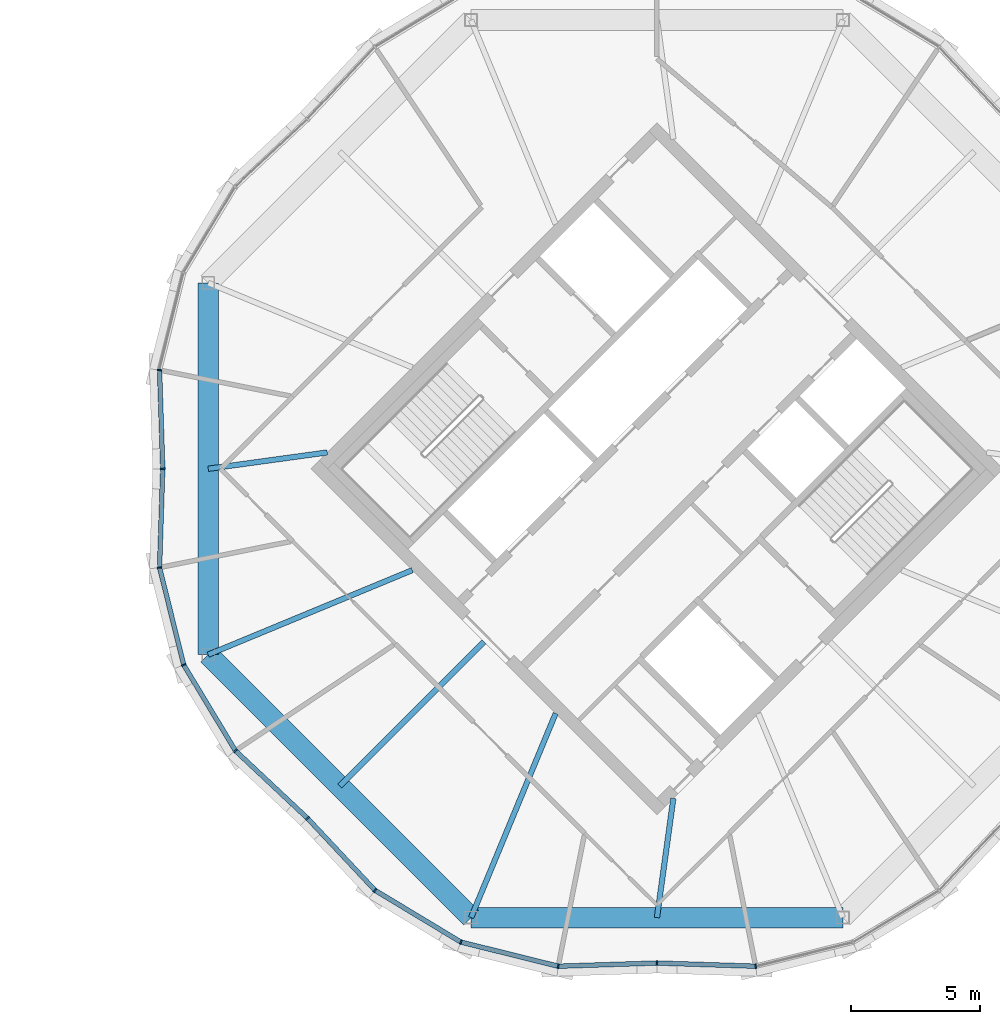
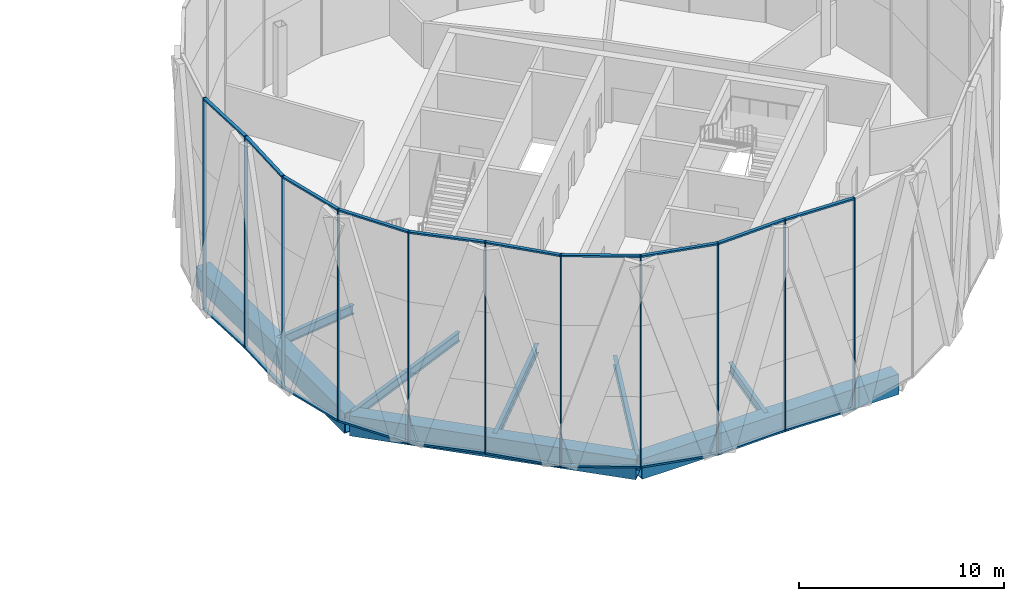
# One storey, part 8 of 23: 31 members, 8 beams, 4 elements without a shape of their own.
"""IFC4 building model written with IfcOpenShell, lengths in metres."""

import ifcopenshell
import ifcopenshell.guid

model = None  # the IFC model being written
_history = None  # IfcOwnerHistory: only IFC2X3 demands one
_inside = {}  # id of a spatial element -> (the spatial element, [elements in it])
_under = {}  # id of a project, library or spatial element -> (it, [spatial elements below it])
_declared = {}  # id of a project -> (the project, [libraries it declares])
_typed = {}  # id of a type object -> (the type object, [elements of that type])
_made_of = {}  # id of a material, layer set ... -> (it, [elements and type objects made of it])


def new_model(schema):
    """Start an empty IFC model of exactly this schema.

    Asked for "IFC4X3", IfcOpenShell would pick the latest addendum, in which some entities
    have other attributes; the version numbers below select the first issue.
    IFC2X3 requires an IfcOwnerHistory on every rooted entity: one is made here for all.
    """
    global model, _history
    if schema == "IFC4X3":
        model = ifcopenshell.file(schema_version=(4, 3, 0, 0))
    else:
        model = ifcopenshell.file(schema=schema)
    _inside.clear()
    _under.clear()
    _declared.clear()
    _typed.clear()
    _made_of.clear()
    _history = None
    if model.schema == "IFC2X3":
        org = make("IfcOrganization", Name="unknown")
        user = make(
            "IfcPersonAndOrganization",
            ThePerson=make("IfcPerson", FamilyName="unknown"),
            TheOrganization=org,
        )
        app = make(
            "IfcApplication",
            ApplicationDeveloper=org,
            Version="unknown",
            ApplicationFullName="unknown",
            ApplicationIdentifier="unknown",
        )
        _history = make(
            "IfcOwnerHistory",
            OwningUser=user,
            OwningApplication=app,
            ChangeAction="ADDED",
            CreationDate=0,
        )
    return model


def make(cls, **values):
    """One entity of the class cls with the attributes given. An attribute that is None is left unset."""
    return model.create_entity(
        cls, **{name: value for name, value in values.items() if value is not None}
    )


def rooted(cls, **values):
    """An entity with a GlobalId (a new one), such as an element, a storey or a relation."""
    return make(cls, GlobalId=ifcopenshell.guid.new(), OwnerHistory=_history, **values)


def si_unit(unit_type, name, prefix=None):
    """IfcSIUnit, for example si_unit("LENGTHUNIT", "METRE", prefix="MILLI")."""
    return make("IfcSIUnit", UnitType=unit_type, Prefix=prefix, Name=name)


def assignment(units):
    """IfcUnitAssignment: the units of a project."""
    return None if units is None else make("IfcUnitAssignment", Units=units)


def point(xyz):
    """IfcCartesianPoint."""
    return None if xyz is None else make("IfcCartesianPoint", Coordinates=xyz)


def direction(xyz):
    """IfcDirection."""
    return None if xyz is None else make("IfcDirection", DirectionRatios=xyz)


def frame(location, z_axis=None, x_axis=None):
    """IfcAxis2Placement3D, a coordinate frame: its origin and axes. An axis left out is left unset."""
    return make(
        "IfcAxis2Placement3D",
        Location=point(location),
        Axis=direction(z_axis),
        RefDirection=direction(x_axis),
    )


def frame_2d(location, x_axis=None):
    """IfcAxis2Placement2D, a coordinate frame in the plane: its origin and x axis."""
    return make(
        "IfcAxis2Placement2D", Location=point(location), RefDirection=direction(x_axis)
    )


def origin():
    """The frame at (0, 0, 0) with its axes left unset."""
    return frame((0.0, 0.0, 0.0))


def origin_2d():
    """The frame at (0, 0) in the plane with its x axis left unset."""
    return frame_2d((0.0, 0.0))


def place(relative_to, where):
    """IfcLocalPlacement: puts the frame where relative to a parent placement (None: the world)."""
    return make(
        "IfcLocalPlacement", PlacementRelTo=relative_to, RelativePlacement=where
    )


def context(
    kind, dimensions, precision=None, world=None, true_north=None, identifier=None
):
    """IfcGeometricRepresentationContext, for example the 3D "Model" context."""
    return make(
        "IfcGeometricRepresentationContext",
        ContextIdentifier=identifier,
        ContextType=kind,
        CoordinateSpaceDimension=dimensions,
        Precision=precision,
        WorldCoordinateSystem=world,
        TrueNorth=true_north,
    )


def subcontext(parent, identifier, kind, view, scale=None):
    """IfcGeometricRepresentationSubContext, for example "Body" below "Model"."""
    return make(
        "IfcGeometricRepresentationSubContext",
        ContextIdentifier=identifier,
        ContextType=kind,
        ParentContext=parent,
        TargetScale=scale,
        TargetView=view,
    )


def project(units=None, contexts=None):
    """IfcProject with its units and contexts."""
    return rooted(
        "IfcProject",
        Name="project",
        RepresentationContexts=contexts,
        UnitsInContext=assignment(units),
    )


def spatial(cls, under=None, at=None, **own):
    """A site, building, storey or space (cls), placed at a placement, below another one or the project."""
    s = rooted(cls, ObjectPlacement=at, **own)
    if under is not None:
        _under.setdefault(under.id(), (under, []))[1].append(s)
    return s


def profile(cls, at=None, kind="AREA", **sizes):
    """A parametric profile (cls). Its sizes go by their IFC names, for example OverallWidth=200.0."""
    return make(cls, ProfileType=kind, Position=at, **sizes)


def rectangle(**sizes):
    """IfcRectangleProfileDef."""
    return profile("IfcRectangleProfileDef", **sizes)


def hollow_rectangle(**sizes):
    """IfcRectangleHollowProfileDef."""
    return profile("IfcRectangleHollowProfileDef", **sizes)


def i_section(**sizes):
    """IfcIShapeProfileDef."""
    return profile("IfcIShapeProfileDef", **sizes)


def extrude(swept, where, along, depth):
    """IfcExtrudedAreaSolid: the profile swept, set in the frame where, extruded along a direction by depth."""
    return make(
        "IfcExtrudedAreaSolid",
        SweptArea=swept,
        Position=where,
        ExtrudedDirection=direction(along),
        Depth=depth,
    )


def shape(context_of_items, identifier, shape_type, items):
    """IfcShapeRepresentation: the items that make up one representation, for example the "Body"."""
    return make(
        "IfcShapeRepresentation",
        ContextOfItems=context_of_items,
        RepresentationIdentifier=identifier,
        RepresentationType=shape_type,
        Items=items,
    )


def material(Name=None, Category=None):
    """IfcMaterial."""
    return make("IfcMaterial", Name=Name, Category=Category)


def material_profile(
    of_material, cross_section, Name=None, Category=None, Priority=None
):
    """IfcMaterialProfile: a cross section and its material."""
    return make(
        "IfcMaterialProfile",
        Name=Name,
        Material=of_material,
        Profile=cross_section,
        Priority=Priority,
        Category=Category,
    )


def profile_set(profiles, Name=None, composite=None):
    """IfcMaterialProfileSet."""
    return make(
        "IfcMaterialProfileSet",
        Name=Name,
        MaterialProfiles=profiles,
        CompositeProfile=composite,
    )


def made_of(thing, what):
    """Note that an element or type object is made of a material, layer set ...; save() writes the relation."""
    if what is not None:
        _made_of.setdefault(what.id(), (what, []))[1].append(thing)
    return thing


def type_object(cls, material=None, **own):
    """A type object (cls), such as IfcWallType, which elements share."""
    return made_of(rooted(cls, **own), material)


def element(
    cls,
    number,
    at=None,
    inside=None,
    cuts=None,
    type_object=None,
    material=None,
    context=None,
    identifier="Body",
    shape_type=None,
    held_by="IfcProductDefinitionShape",
    body=None,
    shapes=None,
    **own,
):
    """One element of the class cls, such as IfcWall. Its Tag is "e" and its number.

    at: its placement. inside: the storey or other place that contains it. cuts: it is an
    opening in that element (IfcRelVoidsElement). A single representation is given by context,
    identifier, shape_type and body (its items); several are given by shapes. held_by: the class
    of the entity that holds the representations. save() writes the other relations.
    """
    e = rooted(cls, Tag="e%d" % number, ObjectPlacement=at, **own)
    if body is not None:
        shapes = [shape(context, identifier, shape_type, body)]
    if shapes is not None:
        e.Representation = make(held_by, Representations=shapes)
    if inside is not None:
        _inside.setdefault(inside.id(), (inside, []))[1].append(e)
    if cuts is not None:
        rooted(
            "IfcRelVoidsElement", RelatingBuildingElement=cuts, RelatedOpeningElement=e
        )
    if type_object is not None:
        _typed.setdefault(type_object.id(), (type_object, []))[1].append(e)
    return made_of(e, material)


def aggregate(whole, parts):
    """IfcRelAggregates: a whole, such as a stair, and the parts it consists of."""
    return rooted("IfcRelAggregates", RelatingObject=whole, RelatedObjects=parts)


def save(model, path):
    """Write the relations noted so far, then the file.

    IfcRelAggregates (storeys below a building ...), IfcRelContainedInSpatialStructure (elements
    in a storey), IfcRelDefinesByType, IfcRelAssociatesMaterial and IfcRelDeclares: one each for
    every whole, place, type object, material and project.
    """
    for whole, parts in _under.values():
        aggregate(whole, parts)
    for where, things in _inside.values():
        rooted(
            "IfcRelContainedInSpatialStructure",
            RelatedElements=things,
            RelatingStructure=where,
        )
    for kind, things in _typed.values():
        rooted("IfcRelDefinesByType", RelatedObjects=things, RelatingType=kind)
    for what, things in _made_of.values():
        rooted("IfcRelAssociatesMaterial", RelatedObjects=things, RelatingMaterial=what)
    for by, libraries in _declared.values():
        rooted("IfcRelDeclares", RelatingContext=by, RelatedDefinitions=libraries)
    model.write(path)


model = new_model("IFC4")

# Units and contexts
model_context = context("Model", 3, precision=1e-05, world=origin(), true_north=direction((0.0, 1.0)))
body_context = subcontext(model_context, "Body", "Model", "MODEL_VIEW")
ifc_project = project(units=[si_unit("LENGTHUNIT", "METRE"), si_unit("AREAUNIT", "SQUARE_METRE"), si_unit("VOLUMEUNIT", "CUBIC_METRE"), si_unit("PLANEANGLEUNIT", "RADIAN"), si_unit("MASSUNIT", "GRAM", prefix="KILO")], contexts=[model_context])

# Site, building, storey
site_placement = place(None, origin())
site = spatial("IfcSite", under=ifc_project, at=site_placement, CompositionType="ELEMENT")
building_placement = place(site_placement, origin())
building = spatial("IfcBuilding", under=site, at=building_placement, Name="Ogive Gate Towers", CompositionType="ELEMENT")
storey_placement = place(building_placement, frame((0.0, 0.0, 256.199951171875)))
storey = spatial("IfcBuildingStorey", under=building, at=storey_placement, Name="L60", CompositionType="ELEMENT", Elevation=256.199951171875)

# Beams
ifc_material_1 = material(Name="Steel SM460", Category="steel")
ifc_material_profile_1 = material_profile(ifc_material_1, hollow_rectangle(XDim=0.800048828125, YDim=1.199951171875, WallThickness=0.050048828125, at=origin_2d()), Name="BX 1200x800x50")
ifc_profile_set_1 = profile_set([ifc_material_profile_1], Name="Steel SM460")
beam_type_1 = type_object("IfcBeamType", Name="Edge girder BX 1200x800x50", PredefinedType="BEAM", material=ifc_profile_set_1)
beam_1_placement = place(storey_placement, frame((18.57568359375, -7.217529296875, -0.89990234375), z_axis=(0.707106781187, -0.707106781187, 0.0), x_axis=(0.707106781187, 0.707106781187, 0.0)))
element("IfcBeam", 1, at=beam_1_placement, inside=storey, type_object=beam_type_1, Name="T2/L60/SBM017", PredefinedType="BEAM", context=body_context, shape_type="SweptSolid", body=[
    extrude(hollow_rectangle(XDim=0.800048828125, YDim=1.199951171875, WallThickness=0.050048828125, at=origin_2d()), origin(), (0.0, 0.0, 1.0), 14.4345703125),
])
for number, where, z_axis, x_axis, name in (
    (2, (28.782470703125, -17.42431640625, -0.89990234375), (1.0, 0.0, 0.0), (0.0, 1.0, 0.0), "T2/L60/SBM018"),
    (3, (18.57568359375, 7.217529296875, -0.89990234375), (0.0, -1.0, 0.0), (1.0, 0.0, 0.0), "T2/L60/SBM024"),
):
    element("IfcBeam", number, at=place(storey_placement, frame(where, z_axis=z_axis, x_axis=x_axis)), inside=storey, type_object=beam_type_1, Name=name, PredefinedType="BEAM", context=body_context, shape_type="SweptSolid", body=[
        extrude(hollow_rectangle(XDim=0.800048828125, YDim=1.199951171875, WallThickness=0.050048828125, at=origin_2d()), origin(), (0.0, 0.0, 1.0), 14.43505859375),
    ])
ifc_material_2 = material(Name="Steel SM355", Category="steel")
ifc_material_profile_2 = material_profile(ifc_material_2, i_section(OverallWidth=0.2099609375, OverallDepth=0.550048828125, WebThickness=0.010986328125, FlangeThickness=0.01708984375, FilletRadius=0.02392578125, at=origin_2d()), Name="IPE 550")
ifc_profile_set_2 = profile_set([ifc_material_profile_2], Name="Steel SM355")
beam_type_2 = type_object("IfcBeamType", Name="Radial floor beam IPE 550", PredefinedType="BEAM", material=ifc_profile_set_2)
beam_2_placement = place(storey_placement, frame((26.5, -3.93505859375, -0.574951171875), z_axis=(-0.923874941579, -0.382694515667, 0.0), x_axis=(0.382694515667, -0.923874941579, 0.0)))
element("IfcBeam", 4, at=beam_2_placement, inside=storey, type_object=beam_type_2, Name="T2/L60/SBM001", PredefinedType="BEAM", context=body_context, shape_type="SweptSolid", body=[
    extrude(i_section(OverallWidth=0.2099609375, OverallDepth=0.550048828125, WebThickness=0.010986328125, FlangeThickness=0.01708984375, FilletRadius=0.02392578125, at=origin_2d()), origin(), (0.0, 0.0, 1.0), 8.5771484375),
])
beam_3_placement = place(storey_placement, frame((29.282470703125, -6.717529296875, -0.574951171875), z_axis=(-0.707106781187, -0.707106781187, 0.0), x_axis=(0.707106781187, -0.707106781187, 0.0)))
element("IfcBeam", 5, at=beam_3_placement, inside=storey, type_object=beam_type_2, Name="T2/L60/SBM002", PredefinedType="BEAM", context=body_context, shape_type="SweptSolid", body=[
    extrude(i_section(OverallWidth=0.2099609375, OverallDepth=0.550048828125, WebThickness=0.010986328125, FlangeThickness=0.01708984375, FilletRadius=0.02392578125, at=origin_2d()), origin(), (0.0, 0.0, 1.0), 7.92431640625),
])
beam_4_placement = place(storey_placement, frame((32.06494140625, -9.5, -0.574951171875), z_axis=(-0.382694515667, -0.923874941579, 0.0), x_axis=(0.923874941579, -0.382694515667, 0.0)))
element("IfcBeam", 6, at=beam_4_placement, inside=storey, type_object=beam_type_2, Name="T2/L60/SBM003", PredefinedType="BEAM", context=body_context, shape_type="SweptSolid", body=[
    extrude(i_section(OverallWidth=0.2099609375, OverallDepth=0.550048828125, WebThickness=0.010986328125, FlangeThickness=0.01708984375, FilletRadius=0.02392578125, at=origin_2d()), origin(), (0.0, 0.0, 1.0), 8.5771484375),
])
for number, where, z_axis, x_axis, name in (
    (7, (36.636474609375, -12.798583984375, -0.574951171875), (-0.136310067219, -0.990666223092, 0.0), (0.990666223092, -0.136310067219, 0.0), "T2/L60/SBM004"),
    (8, (23.201416015625, 0.636474609375, -0.574951171875), (-0.990666223092, -0.136310067219, 0.0), (0.136310067219, -0.990666223092, 0.0), "T2/L60/SBM016"),
):
    element("IfcBeam", number, at=place(storey_placement, frame(where, z_axis=z_axis, x_axis=x_axis)), inside=storey, type_object=beam_type_2, Name=name, PredefinedType="BEAM", context=body_context, shape_type="SweptSolid", body=[
        extrude(i_section(OverallWidth=0.2099609375, OverallDepth=0.550048828125, WebThickness=0.010986328125, FlangeThickness=0.01708984375, FilletRadius=0.02392578125, at=origin_2d()), origin(), (0.0, 0.0, 1.0), 4.66943359375),
    ])

# Curtain wall, members
ifc_material_3 = material(Name="Pale metal aluminium", Category="aluminium")
curtain_wall_type = type_object("IfcCurtainWallType", Name="Tower unitised wall, high zone", PredefinedType="NOTDEFINED", material=ifc_material_3)
curtain_wall_1_placement = place(storey_placement, origin())
curtain_wall_1 = element("IfcCurtainWall", 9, at=curtain_wall_1_placement, inside=storey, type_object=curtain_wall_type, Name="CW2 T2 ECW04", PredefinedType="NOTDEFINED")
ifc_material_profile_3 = material_profile(ifc_material_3, rectangle(XDim=0.179931640625, YDim=0.06005859375, at=origin_2d()), Name="60 x 180 aluminium box")
ifc_profile_set_3 = profile_set([ifc_material_profile_3], Name="Pale metal aluminium")
member_type_1 = type_object("IfcMemberType", Name="Tower unitised wall, high zone mullion 60 x 180", PredefinedType="MULLION", material=ifc_profile_set_3)
member_1_placement = place(storey_placement, frame((16.68603515625, 3.833251953125, -0.300048828125), z_axis=(0.0, 0.0, 1.0), x_axis=(-0.994450514713, 0.105205388581, 0.0)))
member_1 = element("IfcMember", 10, at=member_1_placement, type_object=member_type_1, Name="CW2 mullion", PredefinedType="MULLION", context=body_context, shape_type="SweptSolid", body=[
    extrude(rectangle(XDim=0.179931640625, YDim=0.06005859375, at=origin_2d()), origin(), (0.0, 0.0, 1.0), 12.60009765625),
])
member_2_placement = place(storey_placement, frame((16.809814453125, 0.000244140625, -0.300048828125), z_axis=(0.0, 0.0, 1.0), x_axis=(-0.999479895007, -0.032248092615, 0.0)))
member_2 = element("IfcMember", 11, at=member_2_placement, type_object=member_type_1, Name="CW2 mullion", PredefinedType="MULLION", context=body_context, shape_type="SweptSolid", body=[
    extrude(rectangle(XDim=0.179931640625, YDim=0.06005859375, at=origin_2d()), origin(), (0.0, 0.0, 1.0), 12.60009765625),
])

curtain_wall_2_placement = place(storey_placement, origin())
curtain_wall_2 = element("IfcCurtainWall", 12, at=curtain_wall_2_placement, inside=storey, type_object=curtain_wall_type, Name="CW2 T2 ECW05", PredefinedType="NOTDEFINED")
member_3_placement = place(storey_placement, frame((16.68603515625, -3.833251953125, -0.300048828125), z_axis=(0.0, 0.0, 1.0), x_axis=(-0.994450514713, -0.105205388581, 0.0)))
member_3 = element("IfcMember", 13, at=member_3_placement, type_object=member_type_1, Name="CW2 mullion", PredefinedType="MULLION", context=body_context, shape_type="SweptSolid", body=[
    extrude(rectangle(XDim=0.179931640625, YDim=0.06005859375, at=origin_2d()), origin(), (0.0, 0.0, 1.0), 12.60009765625),
])
member_4_placement = place(storey_placement, frame((17.623046875, -7.612060546875, -0.300048828125), z_axis=(0.0, 0.0, 1.0), x_axis=(-0.923879532511, -0.382683432365, 0.0)))
member_4 = element("IfcMember", 14, at=member_4_placement, type_object=member_type_1, Name="CW2 mullion", PredefinedType="MULLION", context=body_context, shape_type="SweptSolid", body=[
    extrude(rectangle(XDim=0.179931640625, YDim=0.06005859375, at=origin_2d()), origin(), (0.0, 0.0, 1.0), 12.60009765625),
])
member_5_placement = place(storey_placement, frame((19.632568359375, -10.9462890625, -0.300048828125), z_axis=(0.0, 0.0, 1.0), x_axis=(-0.777574146191, -0.628791258825, 0.0)))
member_5 = element("IfcMember", 15, at=member_5_placement, type_object=member_type_1, Name="CW2 mullion", PredefinedType="MULLION", context=body_context, shape_type="SweptSolid", body=[
    extrude(rectangle(XDim=0.179931640625, YDim=0.06005859375, at=origin_2d()), origin(), (0.0, 0.0, 1.0), 12.60009765625),
])
member_6_placement = place(storey_placement, frame((22.430419921875, -13.569091796875, -0.300048828125), z_axis=(0.0, 0.0, 1.0), x_axis=(-0.68393616645, -0.729541856388, 0.0)))
member_6 = element("IfcMember", 16, at=member_6_placement, type_object=member_type_1, Name="CW2 mullion", PredefinedType="MULLION", context=body_context, shape_type="SweptSolid", body=[
    extrude(rectangle(XDim=0.179931640625, YDim=0.06005859375, at=origin_2d()), origin(), (0.0, 0.0, 1.0), 12.60009765625),
])

curtain_wall_3_placement = place(storey_placement, origin())
curtain_wall_3 = element("IfcCurtainWall", 17, at=curtain_wall_3_placement, inside=storey, type_object=curtain_wall_type, Name="CW2 T2 ECW06", PredefinedType="NOTDEFINED")
member_7_placement = place(storey_placement, frame((25.0537109375, -16.367431640625, -0.300048828125), z_axis=(0.0, 0.0, 1.0), x_axis=(-0.628791258825, -0.777574146191, 0.0)))
member_7 = element("IfcMember", 18, at=member_7_placement, type_object=member_type_1, Name="CW2 mullion", PredefinedType="MULLION", context=body_context, shape_type="SweptSolid", body=[
    extrude(rectangle(XDim=0.179931640625, YDim=0.06005859375, at=origin_2d()), origin(), (0.0, 0.0, 1.0), 12.60009765625),
])
member_8_placement = place(storey_placement, frame((28.387939453125, -18.376953125, -0.300048828125), z_axis=(0.0, 0.0, 1.0), x_axis=(-0.382683432365, -0.923879532511, 0.0)))
member_8 = element("IfcMember", 19, at=member_8_placement, type_object=member_type_1, Name="CW2 mullion", PredefinedType="MULLION", context=body_context, shape_type="SweptSolid", body=[
    extrude(rectangle(XDim=0.179931640625, YDim=0.06005859375, at=origin_2d()), origin(), (0.0, 0.0, 1.0), 12.60009765625),
])
member_9_placement = place(storey_placement, frame((32.166748046875, -19.31396484375, -0.300048828125), z_axis=(0.0, 0.0, 1.0), x_axis=(-0.105205388581, -0.994450514713, 0.0)))
member_9 = element("IfcMember", 20, at=member_9_placement, type_object=member_type_1, Name="CW2 mullion", PredefinedType="MULLION", context=body_context, shape_type="SweptSolid", body=[
    extrude(rectangle(XDim=0.179931640625, YDim=0.06005859375, at=origin_2d()), origin(), (0.0, 0.0, 1.0), 12.60009765625),
])
member_10_placement = place(storey_placement, frame((35.999755859375, -19.190185546875, -0.300048828125), z_axis=(0.0, 0.0, 1.0), x_axis=(0.032248092615, -0.999479895007, 0.0)))
member_10 = element("IfcMember", 21, at=member_10_placement, type_object=member_type_1, Name="CW2 mullion", PredefinedType="MULLION", context=body_context, shape_type="SweptSolid", body=[
    extrude(rectangle(XDim=0.179931640625, YDim=0.06005859375, at=origin_2d()), origin(), (0.0, 0.0, 1.0), 12.60009765625),
])

# Curtain wall, member
curtain_wall_4_placement = place(storey_placement, origin())
curtain_wall_4 = element("IfcCurtainWall", 22, at=curtain_wall_4_placement, inside=storey, type_object=curtain_wall_type, Name="CW2 T2 ECW07", PredefinedType="NOTDEFINED")
member_11_placement = place(storey_placement, frame((39.833251953125, -19.31396484375, -0.300048828125), z_axis=(0.0, 0.0, 1.0), x_axis=(0.105205388581, -0.994450514713, 0.0)))
member_11 = element("IfcMember", 23, at=member_11_placement, type_object=member_type_1, Name="CW2 mullion", PredefinedType="MULLION", context=body_context, shape_type="SweptSolid", body=[
    extrude(rectangle(XDim=0.179931640625, YDim=0.06005859375, at=origin_2d()), origin(), (0.0, 0.0, 1.0), 12.60009765625),
])

# Member
ifc_material_profile_4 = material_profile(ifc_material_3, rectangle(XDim=0.179931640625, YDim=0.10009765625, at=origin_2d()), Name="100 x 180 aluminium box")
ifc_profile_set_4 = profile_set([ifc_material_profile_4], Name="Pale metal aluminium")
member_type_2 = type_object("IfcMemberType", Name="Tower unitised wall, high zone transom 100 x 180", PredefinedType="USERDEFINED", material=ifc_profile_set_4)
member_12_placement = place(storey_placement, frame((16.687255859375, 3.8046875, 12.25), z_axis=(0.032195461365, -0.99948159176, 0.0), x_axis=(0.99948159176, 0.032195461365, 0.0)))
member_12 = element("IfcMember", 24, at=member_12_placement, type_object=member_type_2, Name="CW2 transom", ObjectType="TRANSOM", PredefinedType="USERDEFINED", context=body_context, shape_type="SweptSolid", body=[
    extrude(rectangle(XDim=0.179931640625, YDim=0.10009765625, at=origin_2d()), origin(), (0.0, 0.0, 1.0), 3.7763671875),
])

member_13_placement = place(storey_placement, frame((16.687255859375, 3.8046875, -0.25), z_axis=(0.032195461365, -0.99948159176, 0.0), x_axis=(0.99948159176, 0.032195461365, 0.0)))
member_13 = element("IfcMember", 25, at=member_13_placement, type_object=member_type_2, Name="CW2 transom", ObjectType="TRANSOM", PredefinedType="USERDEFINED", context=body_context, shape_type="SweptSolid", body=[
    extrude(rectangle(XDim=0.179931640625, YDim=0.10009765625, at=origin_2d()), origin(), (0.0, 0.0, 1.0), 3.7763671875),
])

aggregate(curtain_wall_1, [member_1, member_2, member_12, member_13])

member_14_placement = place(storey_placement, frame((16.808837890625, -0.0302734375, 12.25), z_axis=(-0.032195461365, -0.99948159176, 0.0), x_axis=(0.99948159176, -0.032195461365, 0.0)))
member_14 = element("IfcMember", 26, at=member_14_placement, type_object=member_type_2, Name="CW2 transom", ObjectType="TRANSOM", PredefinedType="USERDEFINED", context=body_context, shape_type="SweptSolid", body=[
    extrude(rectangle(XDim=0.179931640625, YDim=0.10009765625, at=origin_2d()), origin(), (0.0, 0.0, 1.0), 3.7763671875),
])

member_15_placement = place(storey_placement, frame((16.808837890625, -0.0302734375, -0.25), z_axis=(-0.032195461365, -0.99948159176, 0.0), x_axis=(0.99948159176, -0.032195461365, 0.0)))
member_15 = element("IfcMember", 27, at=member_15_placement, type_object=member_type_2, Name="CW2 transom", ObjectType="TRANSOM", PredefinedType="USERDEFINED", context=body_context, shape_type="SweptSolid", body=[
    extrude(rectangle(XDim=0.179931640625, YDim=0.10009765625, at=origin_2d()), origin(), (0.0, 0.0, 1.0), 3.7763671875),
])

member_16_placement = place(storey_placement, frame((16.693115234375, -3.861083984375, 12.25), z_axis=(0.240648228376, -0.97061239956, 0.0), x_axis=(0.97061239956, 0.240648228376, 0.0)))
member_16 = element("IfcMember", 28, at=member_16_placement, type_object=member_type_2, Name="CW2 transom", ObjectType="TRANSOM", PredefinedType="USERDEFINED", context=body_context, shape_type="SweptSolid", body=[
    extrude(rectangle(XDim=0.179931640625, YDim=0.10009765625, at=origin_2d()), origin(), (0.0, 0.0, 1.0), 3.8359375),
])

member_17_placement = place(storey_placement, frame((16.693115234375, -3.861083984375, -0.25), z_axis=(0.240648228376, -0.97061239956, 0.0), x_axis=(0.97061239956, 0.240648228376, 0.0)))
member_17 = element("IfcMember", 29, at=member_17_placement, type_object=member_type_2, Name="CW2 transom", ObjectType="TRANSOM", PredefinedType="USERDEFINED", context=body_context, shape_type="SweptSolid", body=[
    extrude(rectangle(XDim=0.179931640625, YDim=0.10009765625, at=origin_2d()), origin(), (0.0, 0.0, 1.0), 3.8359375),
])

member_18_placement = place(storey_placement, frame((17.6376953125, -7.63623046875, 12.25), z_axis=(0.516188713906, -0.856474875076, 0.0), x_axis=(0.856474875076, 0.516188713906, 0.0)))
member_18 = element("IfcMember", 30, at=member_18_placement, type_object=member_type_2, Name="CW2 transom", ObjectType="TRANSOM", PredefinedType="USERDEFINED", context=body_context, shape_type="SweptSolid", body=[
    extrude(rectangle(XDim=0.179931640625, YDim=0.10009765625, at=origin_2d()), origin(), (0.0, 0.0, 1.0), 3.836181640625),
])

member_19_placement = place(storey_placement, frame((17.6376953125, -7.63623046875, -0.25), z_axis=(0.516188713906, -0.856474875076, 0.0), x_axis=(0.856474875076, 0.516188713906, 0.0)))
member_19 = element("IfcMember", 31, at=member_19_placement, type_object=member_type_2, Name="CW2 transom", ObjectType="TRANSOM", PredefinedType="USERDEFINED", context=body_context, shape_type="SweptSolid", body=[
    extrude(rectangle(XDim=0.179931640625, YDim=0.10009765625, at=origin_2d()), origin(), (0.0, 0.0, 1.0), 3.836181640625),
])

member_20_placement = place(storey_placement, frame((19.6533203125, -10.9658203125, 12.25), z_axis=(0.729559380509, -0.683917473319, 0.0), x_axis=(0.683917473319, 0.729559380509, 0.0)))
member_20 = element("IfcMember", 32, at=member_20_placement, type_object=member_type_2, Name="CW2 transom", ObjectType="TRANSOM", PredefinedType="USERDEFINED", context=body_context, shape_type="SweptSolid", body=[
    extrude(rectangle(XDim=0.179931640625, YDim=0.10009765625, at=origin_2d()), origin(), (0.0, 0.0, 1.0), 3.7763671875),
])

member_21_placement = place(storey_placement, frame((19.6533203125, -10.9658203125, -0.25), z_axis=(0.729559380509, -0.683917473319, 0.0), x_axis=(0.683917473319, 0.729559380509, 0.0)))
member_21 = element("IfcMember", 33, at=member_21_placement, type_object=member_type_2, Name="CW2 transom", ObjectType="TRANSOM", PredefinedType="USERDEFINED", context=body_context, shape_type="SweptSolid", body=[
    extrude(rectangle(XDim=0.179931640625, YDim=0.10009765625, at=origin_2d()), origin(), (0.0, 0.0, 1.0), 3.7763671875),
])

aggregate(curtain_wall_2, [member_3, member_14, member_15, member_4, member_16, member_17, member_5, member_18, member_19, member_6, member_20, member_21])

member_22_placement = place(storey_placement, frame((22.451416015625, -13.591552734375, 12.25), z_axis=(0.683917473319, -0.729559380509, 0.0), x_axis=(0.729559380509, 0.683917473319, 0.0)))
member_22 = element("IfcMember", 34, at=member_22_placement, type_object=member_type_2, Name="CW2 transom", ObjectType="TRANSOM", PredefinedType="USERDEFINED", context=body_context, shape_type="SweptSolid", body=[
    extrude(rectangle(XDim=0.179931640625, YDim=0.10009765625, at=origin_2d()), origin(), (0.0, 0.0, 1.0), 3.7763671875),
])

member_23_placement = place(storey_placement, frame((22.451416015625, -13.591552734375, -0.25), z_axis=(0.683917473319, -0.729559380509, 0.0), x_axis=(0.729559380509, 0.683917473319, 0.0)))
member_23 = element("IfcMember", 35, at=member_23_placement, type_object=member_type_2, Name="CW2 transom", ObjectType="TRANSOM", PredefinedType="USERDEFINED", context=body_context, shape_type="SweptSolid", body=[
    extrude(rectangle(XDim=0.179931640625, YDim=0.10009765625, at=origin_2d()), origin(), (0.0, 0.0, 1.0), 3.7763671875),
])

member_24_placement = place(storey_placement, frame((25.078125, -16.382080078125, 12.25), z_axis=(0.856474875076, -0.516188713906, 0.0), x_axis=(0.516188713906, 0.856474875076, 0.0)))
member_24 = element("IfcMember", 36, at=member_24_placement, type_object=member_type_2, Name="CW2 transom", ObjectType="TRANSOM", PredefinedType="USERDEFINED", context=body_context, shape_type="SweptSolid", body=[
    extrude(rectangle(XDim=0.179931640625, YDim=0.10009765625, at=origin_2d()), origin(), (0.0, 0.0, 1.0), 3.836181640625),
])

member_25_placement = place(storey_placement, frame((25.078125, -16.382080078125, -0.25), z_axis=(0.856474875076, -0.516188713906, 0.0), x_axis=(0.516188713906, 0.856474875076, 0.0)))
member_25 = element("IfcMember", 37, at=member_25_placement, type_object=member_type_2, Name="CW2 transom", ObjectType="TRANSOM", PredefinedType="USERDEFINED", context=body_context, shape_type="SweptSolid", body=[
    extrude(rectangle(XDim=0.179931640625, YDim=0.10009765625, at=origin_2d()), origin(), (0.0, 0.0, 1.0), 3.836181640625),
])

member_26_placement = place(storey_placement, frame((28.415771484375, -18.3837890625, 12.25), z_axis=(0.97061239956, -0.240648228376, 0.0), x_axis=(0.240648228376, 0.97061239956, 0.0)))
member_26 = element("IfcMember", 38, at=member_26_placement, type_object=member_type_2, Name="CW2 transom", ObjectType="TRANSOM", PredefinedType="USERDEFINED", context=body_context, shape_type="SweptSolid", body=[
    extrude(rectangle(XDim=0.179931640625, YDim=0.10009765625, at=origin_2d()), origin(), (0.0, 0.0, 1.0), 3.8359375),
])

member_27_placement = place(storey_placement, frame((28.415771484375, -18.3837890625, -0.25), z_axis=(0.97061239956, -0.240648228376, 0.0), x_axis=(0.240648228376, 0.97061239956, 0.0)))
member_27 = element("IfcMember", 39, at=member_27_placement, type_object=member_type_2, Name="CW2 transom", ObjectType="TRANSOM", PredefinedType="USERDEFINED", context=body_context, shape_type="SweptSolid", body=[
    extrude(rectangle(XDim=0.179931640625, YDim=0.10009765625, at=origin_2d()), origin(), (0.0, 0.0, 1.0), 3.8359375),
])

member_28_placement = place(storey_placement, frame((32.1953125, -19.312744140625, 12.25), z_axis=(0.99948159176, 0.032195461365, 0.0), x_axis=(-0.032195461365, 0.99948159176, 0.0)))
member_28 = element("IfcMember", 40, at=member_28_placement, type_object=member_type_2, Name="CW2 transom", ObjectType="TRANSOM", PredefinedType="USERDEFINED", context=body_context, shape_type="SweptSolid", body=[
    extrude(rectangle(XDim=0.179931640625, YDim=0.10009765625, at=origin_2d()), origin(), (0.0, 0.0, 1.0), 3.7763671875),
])

member_29_placement = place(storey_placement, frame((32.1953125, -19.312744140625, -0.25), z_axis=(0.99948159176, 0.032195461365, 0.0), x_axis=(-0.032195461365, 0.99948159176, 0.0)))
member_29 = element("IfcMember", 41, at=member_29_placement, type_object=member_type_2, Name="CW2 transom", ObjectType="TRANSOM", PredefinedType="USERDEFINED", context=body_context, shape_type="SweptSolid", body=[
    extrude(rectangle(XDim=0.179931640625, YDim=0.10009765625, at=origin_2d()), origin(), (0.0, 0.0, 1.0), 3.7763671875),
])

aggregate(curtain_wall_3, [member_7, member_22, member_23, member_8, member_24, member_25, member_9, member_26, member_27, member_10, member_28, member_29])

member_30_placement = place(storey_placement, frame((36.0302734375, -19.191162109375, 12.25), z_axis=(0.99948159176, -0.032195461365, 0.0), x_axis=(0.032195461365, 0.99948159176, 0.0)))
member_30 = element("IfcMember", 42, at=member_30_placement, type_object=member_type_2, Name="CW2 transom", ObjectType="TRANSOM", PredefinedType="USERDEFINED", context=body_context, shape_type="SweptSolid", body=[
    extrude(rectangle(XDim=0.179931640625, YDim=0.10009765625, at=origin_2d()), origin(), (0.0, 0.0, 1.0), 3.7763671875),
])

member_31_placement = place(storey_placement, frame((36.0302734375, -19.191162109375, -0.25), z_axis=(0.99948159176, -0.032195461365, 0.0), x_axis=(0.032195461365, 0.99948159176, 0.0)))
member_31 = element("IfcMember", 43, at=member_31_placement, type_object=member_type_2, Name="CW2 transom", ObjectType="TRANSOM", PredefinedType="USERDEFINED", context=body_context, shape_type="SweptSolid", body=[
    extrude(rectangle(XDim=0.179931640625, YDim=0.10009765625, at=origin_2d()), origin(), (0.0, 0.0, 1.0), 3.7763671875),
])

aggregate(curtain_wall_4, [member_11, member_30, member_31])

save(model, "model.ifc")
